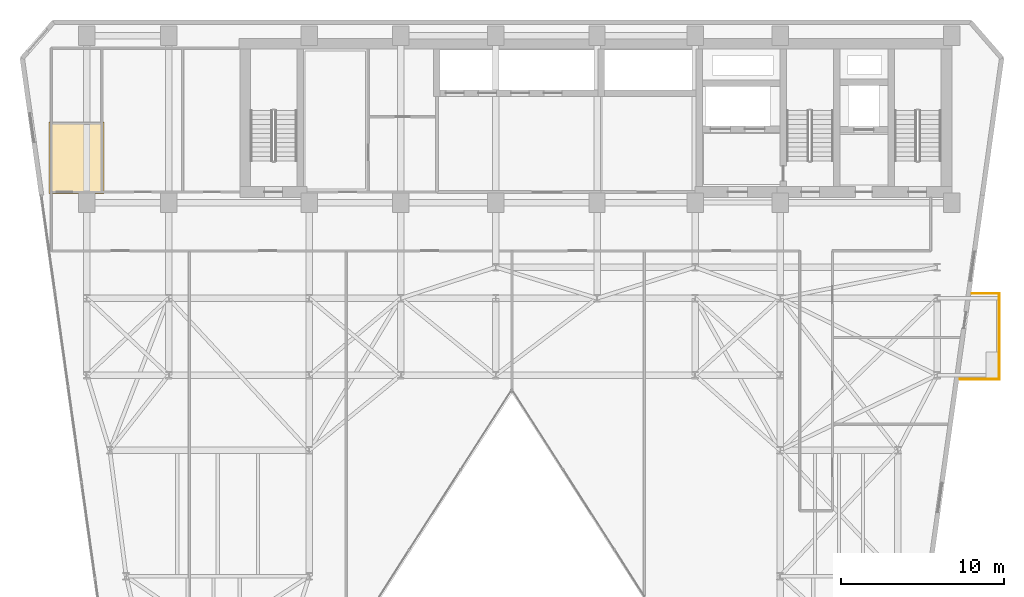
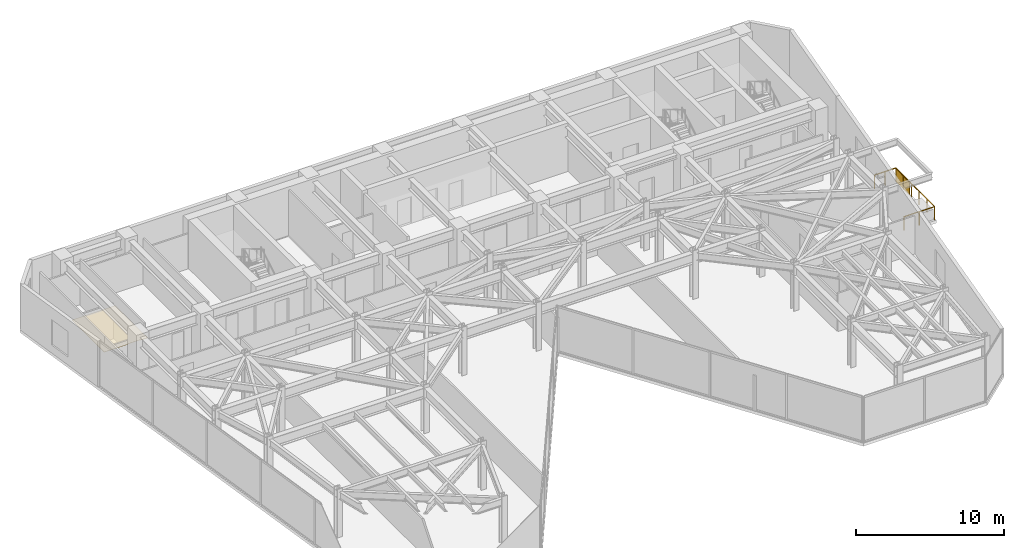
# One storey, part 24 of 26: 3 railings, 1 covering, 1 shading device.
"""IFC4 building model written with IfcOpenShell, lengths in metres."""

from ifc_helpers import new_model, si_unit, direction, frame, origin, origin_2d, place, context, subcontext, project, spatial, polyline, rectangle, circle, outline, extrude, material, layer, layer_set, type_object, element, save


model = new_model("IFC4")

# Units and contexts
model_context = context("Model", 3, precision=1e-05, world=origin(), true_north=direction((0.0, 1.0)))
body_context = subcontext(model_context, "Body", "Model", "MODEL_VIEW")
ifc_project = project(units=[si_unit("LENGTHUNIT", "METRE"), si_unit("AREAUNIT", "SQUARE_METRE"), si_unit("VOLUMEUNIT", "CUBIC_METRE"), si_unit("PLANEANGLEUNIT", "RADIAN"), si_unit("MASSUNIT", "GRAM", prefix="KILO")], contexts=[model_context])

# Site, building, storey
site_placement = place(None, origin())
site = spatial("IfcSite", under=ifc_project, at=site_placement, CompositionType="ELEMENT")
building_placement = place(site_placement, origin())
building = spatial("IfcBuilding", under=site, at=building_placement, Name="Kravanh Interchange Tower", CompositionType="ELEMENT")
storey_placement = place(building_placement, frame((0.0, 0.0, 128.0)))
storey = spatial("IfcBuildingStorey", under=building, at=storey_placement, Name="L30", CompositionType="ELEMENT", Elevation=128.0)

# Covering
ifc_material_1 = material(Name="Acoustic Mineral Fibre Tile on Aluminium Grid", Category="aluminium")
ifc_layer_1 = layer(ifc_material_1, 0.02490234375)
ifc_layer_set_1 = layer_set([ifc_layer_1], Name="Perforated Acoustic Mineral Ceiling 25mm")
covering_type = type_object("IfcCoveringType", Name="Perforated Acoustic Mineral Ceiling 25mm", PredefinedType="CEILING", material=ifc_layer_set_1)
covering_placement = place(storey_placement, frame((0.0, 0.0, 2.550048828125)))
element("IfcCovering", 1, at=covering_placement, inside=storey, type_object=covering_type, Name="L30 Accessible WC Suspended Ceiling", PredefinedType="CEILING", context=body_context, shape_type="SweptSolid", body=[
    extrude(outline(polyline([(14.659912109375, 42.280029296875), (14.659912109375, 37.909912109375), (14.10009765625, 37.909912109375), (14.10009765625, 37.949951171875), (13.10009765625, 37.949951171875), (13.10009765625, 37.909912109375), (11.280029296875, 37.909912109375), (11.280029296875, 42.280029296875), (14.659912109375, 42.280029296875)])), origin(), (0.0, 0.0, 1.0), 0.02490234375),
])

# Shading device
ifc_material_2 = material(Name="Perforated Anodised Bronze Aluminium", Category="aluminium")
ifc_layer_2 = layer(ifc_material_2, 0.0400390625)
ifc_layer_set_2 = layer_set([ifc_layer_2], Name="Perforated Bronze Balcony Privacy Screen 1150mm")
shading_device_type = type_object("IfcShadingDeviceType", Name="Perforated Bronze Balcony Privacy Screen 1150mm", PredefinedType="USERDEFINED", material=ifc_layer_set_2)
shading_device_placement = place(storey_placement, frame((69.409912109375, 30.820068359375, 0.0), z_axis=(0.0, 0.0, 1.0), x_axis=(1.0, 0.0, 0.0)))
element("IfcShadingDevice", 2, at=shading_device_placement, inside=storey, type_object=shading_device_type, Name="L30 E Perforated Bronze BALCONY SCREEN", ObjectType="SCREEN", PredefinedType="USERDEFINED", context=body_context, shape_type="SweptSolid", body=[
    extrude(rectangle(XDim=0.0400390625, YDim=1.800048828125, at=origin_2d()), origin(), (0.0, 0.0, 1.0), 1.14990234375),
])

# Railings
ifc_material_3 = material(Name="Stainless Steel 316", Category="steel")
ifc_layer_3 = layer(ifc_material_3, 0.06005859375)
ifc_layer_set_3 = layer_set([ifc_layer_3], Name="Perimeter Balcony and Terrace Guardrail Stainless 316 1120mm")
railing_type = type_object("IfcRailingType", Name="Perimeter Balcony and Terrace Guardrail Stainless 316 1120mm", PredefinedType="GUARDRAIL", material=ifc_layer_set_3)
railing_1_placement = place(storey_placement, frame((69.409912109375, 31.7900390625, 0.0)))
element("IfcRailing", 3, at=railing_1_placement, inside=storey, type_object=railing_type, Name="L30 E Balcony Guardrail 1", PredefinedType="GUARDRAIL", context=body_context, shape_type="SweptSolid", body=[
    extrude(circle(Radius=0.02392578125, at=origin_2d()), frame((0.0, 0.0, 1.09619140625), z_axis=(0.0, -1.0, 0.0), x_axis=(1.0, 0.0, 0.0)), (0.0, 0.0, 1.0), 5.239990234375),
    extrude(circle(Radius=0.02099609375, at=origin_2d()), origin(), (0.0, 0.0, 1.0), 1.072021484375),
    extrude(circle(Radius=0.02099609375, at=origin_2d()), frame((0.0, -1.048095703125, 0.0)), (0.0, 0.0, 1.0), 1.072021484375),
    extrude(circle(Radius=0.02099609375, at=origin_2d()), frame((0.0, -2.095947265625, 0.0)), (0.0, 0.0, 1.0), 1.072021484375),
    extrude(circle(Radius=0.02099609375, at=origin_2d()), frame((0.0, -3.14404296875, 0.0)), (0.0, 0.0, 1.0), 1.072021484375),
    extrude(circle(Radius=0.02099609375, at=origin_2d()), frame((0.0, -4.19189453125, 0.0)), (0.0, 0.0, 1.0), 1.072021484375),
    extrude(circle(Radius=0.02099609375, at=origin_2d()), frame((0.0, -5.239990234375, 0.0)), (0.0, 0.0, 1.0), 1.072021484375),
])
railing_2_placement = place(storey_placement, frame((69.409912109375, 26.550048828125, 0.0)))
element("IfcRailing", 4, at=railing_2_placement, inside=storey, type_object=railing_type, Name="L30 E Balcony Guardrail 2", PredefinedType="GUARDRAIL", context=body_context, shape_type="SweptSolid", body=[
    extrude(circle(Radius=0.02392578125, at=origin_2d()), frame((0.0, 0.0, 1.09619140625), z_axis=(-1.0, 0.0, 0.0), x_axis=(0.0, -1.0, 0.0)), (0.0, 0.0, 1.0), 2.39892578125),
    extrude(circle(Radius=0.02099609375, at=origin_2d()), origin(), (0.0, 0.0, 1.0), 1.072021484375),
    extrude(circle(Radius=0.02099609375, at=origin_2d()), frame((-1.199462890625, 0.0, 0.0)), (0.0, 0.0, 1.0), 1.072021484375),
    extrude(circle(Radius=0.02099609375, at=origin_2d()), frame((-2.39892578125, 0.0, 0.0)), (0.0, 0.0, 1.0), 1.072021484375),
])
railing_3_placement = place(storey_placement, frame((67.747314453125, 31.7900390625, 0.0)))
element("IfcRailing", 5, at=railing_3_placement, inside=storey, type_object=railing_type, Name="L30 E Balcony Guardrail 3", PredefinedType="GUARDRAIL", context=body_context, shape_type="SweptSolid", body=[
    extrude(circle(Radius=0.02392578125, at=origin_2d()), frame((0.0, 0.0, 1.09619140625), z_axis=(1.0, 0.0, 0.0), x_axis=(0.0, 1.0, 0.0)), (0.0, 0.0, 1.0), 1.66259765625),
    extrude(circle(Radius=0.02099609375, at=origin_2d()), origin(), (0.0, 0.0, 1.0), 1.072021484375),
    extrude(circle(Radius=0.02099609375, at=origin_2d()), frame((0.831298828125, 0.0, 0.0)), (0.0, 0.0, 1.0), 1.072021484375),
    extrude(circle(Radius=0.02099609375, at=origin_2d()), frame((1.66259765625, 0.0, 0.0)), (0.0, 0.0, 1.0), 1.072021484375),
])

save(model, "model.ifc")
